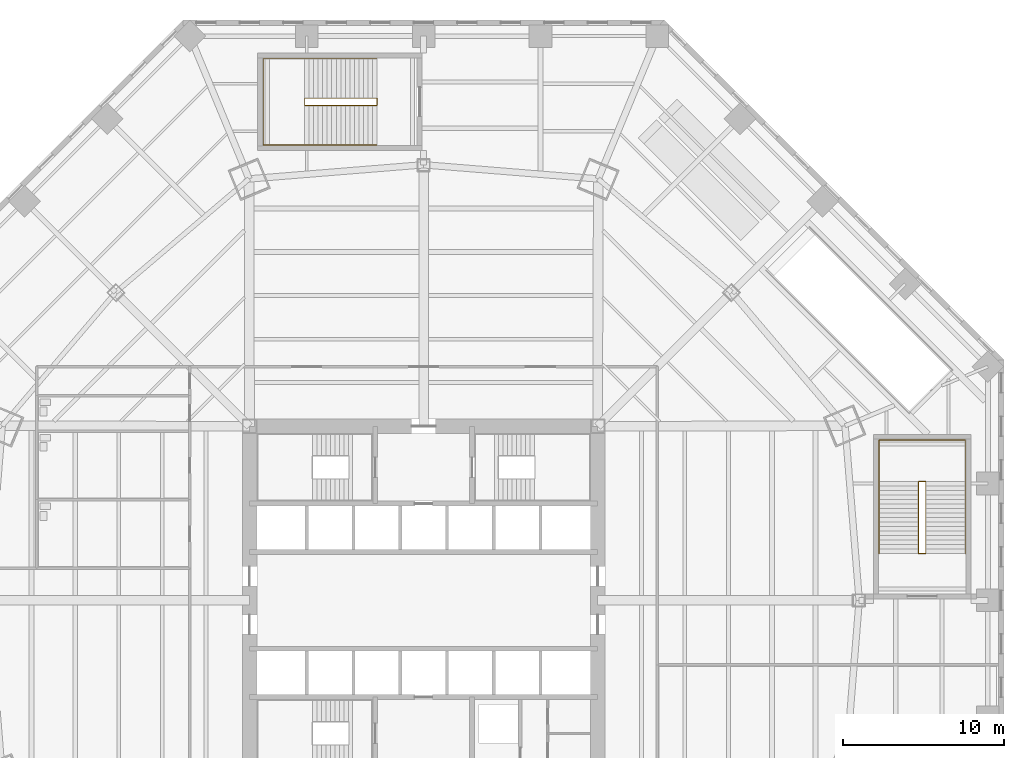
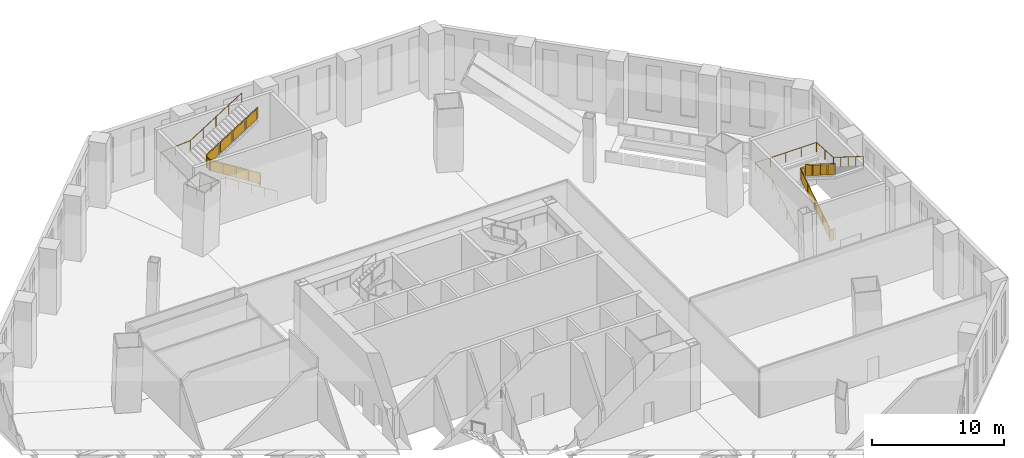
# One storey, part 18 of 20: 4 railings.
"""IFC4 building model written with IfcOpenShell, lengths in metres."""

from ifc_helpers import new_model, si_unit, direction, frame, origin, origin_2d, place, context, subcontext, project, spatial, polyline, circle, outline, extrude, material, type_object, element, save


model = new_model("IFC4")

# Units and contexts
model_context = context("Model", 3, precision=1e-05, world=origin(), true_north=direction((0.0, 1.0)))
body_context = subcontext(model_context, "Body", "Model", "MODEL_VIEW")
ifc_project = project(units=[si_unit("LENGTHUNIT", "METRE"), si_unit("AREAUNIT", "SQUARE_METRE"), si_unit("VOLUMEUNIT", "CUBIC_METRE"), si_unit("PLANEANGLEUNIT", "RADIAN"), si_unit("MASSUNIT", "GRAM", prefix="KILO")], contexts=[model_context])

# Site, building, storey
site_placement = place(None, origin())
site = spatial("IfcSite", under=ifc_project, at=site_placement, CompositionType="ELEMENT")
building_placement = place(site_placement, origin())
building = spatial("IfcBuilding", under=site, at=building_placement, Name="Mashrafa Tower", CompositionType="ELEMENT")
storey_placement = place(building_placement, frame((0.0, 0.0, 7.199951171875)))
storey = spatial("IfcBuildingStorey", under=building, at=storey_placement, Name="L01", CompositionType="ELEMENT", Elevation=7.199951171875)

# Railings
ifc_material_1 = material(Name="Steel guard with glass infill", Category="steel")
railing_type_1 = type_object("IfcRailingType", Name="Stair guard 1100", PredefinedType="GUARDRAIL", material=ifc_material_1)
railing_1_placement = place(storey_placement, frame((31.14990234375, 2.89990234375, 0.0)))
element("IfcRailing", 1, at=railing_1_placement, inside=storey, type_object=railing_type_1, Name="Stair P1 guard L01", PredefinedType="GUARDRAIL", context=body_context, shape_type="SweptSolid", body=[
    extrude(circle(Radius=0.02392578125, at=origin_2d()), frame((0.0, 0.0, 1.076171875), z_axis=(-1.0, 0.0, 0.0), x_axis=(0.0, -1.0, 0.0)), (0.0, 0.0, 1.0), 0.449951171875),
    extrude(circle(Radius=0.02392578125, at=origin_2d()), frame((-0.449951171875, 0.0, 1.076171875), z_axis=(0.0, 0.0, 1.0), x_axis=(1.0, 0.0, 0.0)), (0.0, 0.0, 1.0), 0.176513671875),
    extrude(circle(Radius=0.02392578125, at=origin_2d()), frame((-0.449951171875, 0.0, 1.25244140625), z_axis=(0.0, 0.845997938375, 0.533186166611), x_axis=(-1.0, 0.0, 0.0)), (0.0, 0.0, 1.0), 5.29541015625),
    extrude(circle(Radius=0.02392578125, at=origin_2d()), frame((-0.449951171875, 4.47998046875, 4.076171875), z_axis=(1.0, 0.0, 0.0), x_axis=(0.0, 1.0, 0.0)), (0.0, 0.0, 1.0), 0.449951171875),
    extrude(circle(Radius=0.02392578125, at=origin_2d()), frame((0.0, 4.47998046875, 4.076171875), z_axis=(0.0, 0.0, 1.0), x_axis=(1.0, 0.0, 0.0)), (0.0, 0.0, 1.0), 0.176513671875),
    extrude(circle(Radius=0.02392578125, at=origin_2d()), frame((0.0, 4.47998046875, 4.25244140625), z_axis=(0.0, -0.845997938375, 0.533186166611), x_axis=(1.0, 0.0, 0.0)), (0.0, 0.0, 1.0), 5.29541015625),
    extrude(circle(Radius=0.02099609375, at=origin_2d()), origin(), (0.0, 0.0, 1.0), 1.052001953125),
    extrude(circle(Radius=0.02099609375, at=origin_2d()), frame((-0.449951171875, 0.0, 0.0)), (0.0, 0.0, 1.0), 1.052001953125),
    extrude(circle(Radius=0.02099609375, at=origin_2d()), frame((-0.449951171875, 0.0, 0.176513671875)), (0.0, 0.0, 1.0), 1.052001953125),
    extrude(circle(Radius=0.02099609375, at=origin_2d()), frame((-0.449951171875, 1.1201171875, 0.88232421875)), (0.0, 0.0, 1.0), 1.052001953125),
    extrude(circle(Radius=0.02099609375, at=origin_2d()), frame((-0.449951171875, 2.239990234375, 1.58837890625)), (0.0, 0.0, 1.0), 1.052001953125),
    extrude(circle(Radius=0.02099609375, at=origin_2d()), frame((-0.449951171875, 3.35986328125, 2.294189453125)), (0.0, 0.0, 1.0), 1.052001953125),
    extrude(circle(Radius=0.02099609375, at=origin_2d()), frame((-0.449951171875, 4.47998046875, 3.0)), (0.0, 0.0, 1.0), 1.052001953125),
    extrude(circle(Radius=0.02099609375, at=origin_2d()), frame((0.0, 4.47998046875, 3.0)), (0.0, 0.0, 1.0), 1.052001953125),
    extrude(circle(Radius=0.02099609375, at=origin_2d()), frame((0.0, 4.47998046875, 3.176513671875)), (0.0, 0.0, 1.0), 1.052001953125),
    extrude(circle(Radius=0.02099609375, at=origin_2d()), frame((0.0, 3.35986328125, 3.88232421875)), (0.0, 0.0, 1.0), 1.052001953125),
    extrude(circle(Radius=0.02099609375, at=origin_2d()), frame((0.0, 2.239990234375, 4.58837890625)), (0.0, 0.0, 1.0), 1.052001953125),
    extrude(circle(Radius=0.02099609375, at=origin_2d()), frame((0.0, 1.1201171875, 5.294189453125)), (0.0, 0.0, 1.0), 1.052001953125),
    extrude(circle(Radius=0.02099609375, at=origin_2d()), frame((0.0, 0.0, 6.0)), (0.0, 0.0, 1.0), 1.052001953125),
    extrude(outline(polyline([(0.071044921875, 0.050048828125), (0.37890625, 0.050048828125), (0.37890625, 1.001953125), (0.071044921875, 1.001953125), (0.071044921875, 0.050048828125)])), frame((0.0, 0.006103515625, 0.0), z_axis=(0.0, 1.0, 0.0), x_axis=(-1.0, 0.0, 0.0)), (0.0, 0.0, 1.0), 0.011962890625),
    extrude(outline(polyline([(0.071044921875, 0.0947265625), (1.049072265625, 0.711181640625), (1.049072265625, 1.6630859375), (0.071044921875, 1.046630859375), (0.071044921875, 0.0947265625)])), frame((-0.44384765625, 0.0, 0.176513671875), z_axis=(1.0, 0.0, 0.0), x_axis=(0.0, 1.0, 0.0)), (0.0, 0.0, 1.0), 0.011962890625),
    extrude(outline(polyline([(1.19091796875, 0.800537109375), (2.1689453125, 1.4169921875), (2.1689453125, 2.368896484375), (1.19091796875, 1.752685546875), (1.19091796875, 0.800537109375)])), frame((-0.44384765625, 0.0, 0.176513671875), z_axis=(1.0, 0.0, 0.0), x_axis=(0.0, 1.0, 0.0)), (0.0, 0.0, 1.0), 0.011962890625),
    extrude(outline(polyline([(2.31103515625, 1.506591796875), (3.2890625, 2.122802734375), (3.2890625, 3.074951171875), (2.31103515625, 2.45849609375), (2.31103515625, 1.506591796875)])), frame((-0.44384765625, 0.0, 0.176513671875), z_axis=(1.0, 0.0, 0.0), x_axis=(0.0, 1.0, 0.0)), (0.0, 0.0, 1.0), 0.011962890625),
    extrude(outline(polyline([(3.430908203125, 2.21240234375), (4.408935546875, 2.828857421875), (4.408935546875, 3.78076171875), (3.430908203125, 3.164306640625), (3.430908203125, 2.21240234375)])), frame((-0.44384765625, 0.0, 0.176513671875), z_axis=(1.0, 0.0, 0.0), x_axis=(0.0, 1.0, 0.0)), (0.0, 0.0, 1.0), 0.011962890625),
    extrude(outline(polyline([(0.071044921875, 0.050048828125), (0.37890625, 0.050048828125), (0.37890625, 1.001953125), (0.071044921875, 1.001953125), (0.071044921875, 0.050048828125)])), frame((-0.449951171875, 4.473876953125, 3.0), z_axis=(0.0, -1.0, 0.0), x_axis=(1.0, 0.0, 0.0)), (0.0, 0.0, 1.0), 0.011962890625),
    extrude(outline(polyline([(0.071044921875, 0.0947265625), (1.049072265625, 0.711181640625), (1.049072265625, 1.6630859375), (0.071044921875, 1.046630859375), (0.071044921875, 0.0947265625)])), frame((-0.006103515625, 4.47998046875, 3.176513671875), z_axis=(-1.0, 0.0, 0.0), x_axis=(0.0, -1.0, 0.0)), (0.0, 0.0, 1.0), 0.011962890625),
    extrude(outline(polyline([(1.19091796875, 0.800537109375), (2.1689453125, 1.4169921875), (2.1689453125, 2.368896484375), (1.19091796875, 1.752685546875), (1.19091796875, 0.800537109375)])), frame((-0.006103515625, 4.47998046875, 3.176513671875), z_axis=(-1.0, 0.0, 0.0), x_axis=(0.0, -1.0, 0.0)), (0.0, 0.0, 1.0), 0.011962890625),
    extrude(outline(polyline([(2.31103515625, 1.506591796875), (3.2890625, 2.122802734375), (3.2890625, 3.074951171875), (2.31103515625, 2.45849609375), (2.31103515625, 1.506591796875)])), frame((-0.006103515625, 4.47998046875, 3.176513671875), z_axis=(-1.0, 0.0, 0.0), x_axis=(0.0, -1.0, 0.0)), (0.0, 0.0, 1.0), 0.011962890625),
    extrude(outline(polyline([(3.430908203125, 2.21240234375), (4.408935546875, 2.828857421875), (4.408935546875, 3.78076171875), (3.430908203125, 3.164306640625), (3.430908203125, 2.21240234375)])), frame((-0.006103515625, 4.47998046875, 3.176513671875), z_axis=(-1.0, 0.0, 0.0), x_axis=(0.0, -1.0, 0.0)), (0.0, 0.0, 1.0), 0.011962890625),
])
railing_2_placement = place(storey_placement, frame((-2.89990234375, 31.14990234375, 0.0)))
element("IfcRailing", 2, at=railing_2_placement, inside=storey, type_object=railing_type_1, Name="Stair P2 guard L01", PredefinedType="GUARDRAIL", context=body_context, shape_type="SweptSolid", body=[
    extrude(circle(Radius=0.02392578125, at=origin_2d()), frame((0.0, 0.0, 1.076171875), z_axis=(0.0, -1.0, 0.0), x_axis=(1.0, 0.0, 0.0)), (0.0, 0.0, 1.0), 0.449951171875),
    extrude(circle(Radius=0.02392578125, at=origin_2d()), frame((0.0, -0.449951171875, 1.076171875), z_axis=(0.0, 0.0, 1.0), x_axis=(1.0, 0.0, 0.0)), (0.0, 0.0, 1.0), 0.176513671875),
    extrude(circle(Radius=0.02392578125, at=origin_2d()), frame((0.0, -0.449951171875, 1.25244140625), z_axis=(-0.845997938375, 0.0, 0.533186166611), x_axis=(0.0, -1.0, 0.0)), (0.0, 0.0, 1.0), 5.29541015625),
    extrude(circle(Radius=0.02392578125, at=origin_2d()), frame((-4.47998046875, -0.449951171875, 4.076171875), z_axis=(0.0, 1.0, 0.0), x_axis=(-1.0, 0.0, 0.0)), (0.0, 0.0, 1.0), 0.449951171875),
    extrude(circle(Radius=0.02392578125, at=origin_2d()), frame((-4.47998046875, 0.0, 4.076171875), z_axis=(0.0, 0.0, 1.0), x_axis=(1.0, 0.0, 0.0)), (0.0, 0.0, 1.0), 0.176513671875),
    extrude(circle(Radius=0.02392578125, at=origin_2d()), frame((-4.47998046875, 0.0, 4.25244140625), z_axis=(0.845997938375, 0.0, 0.533186166611), x_axis=(0.0, 1.0, 0.0)), (0.0, 0.0, 1.0), 5.29541015625),
    extrude(circle(Radius=0.02099609375, at=origin_2d()), origin(), (0.0, 0.0, 1.0), 1.052001953125),
    extrude(circle(Radius=0.02099609375, at=origin_2d()), frame((0.0, -0.449951171875, 0.0)), (0.0, 0.0, 1.0), 1.052001953125),
    extrude(circle(Radius=0.02099609375, at=origin_2d()), frame((0.0, -0.449951171875, 0.176513671875)), (0.0, 0.0, 1.0), 1.052001953125),
    extrude(circle(Radius=0.02099609375, at=origin_2d()), frame((-1.1201171875, -0.449951171875, 0.88232421875)), (0.0, 0.0, 1.0), 1.052001953125),
    extrude(circle(Radius=0.02099609375, at=origin_2d()), frame((-2.239990234375, -0.449951171875, 1.58837890625)), (0.0, 0.0, 1.0), 1.052001953125),
    extrude(circle(Radius=0.02099609375, at=origin_2d()), frame((-3.35986328125, -0.449951171875, 2.294189453125)), (0.0, 0.0, 1.0), 1.052001953125),
    extrude(circle(Radius=0.02099609375, at=origin_2d()), frame((-4.47998046875, -0.449951171875, 3.0)), (0.0, 0.0, 1.0), 1.052001953125),
    extrude(circle(Radius=0.02099609375, at=origin_2d()), frame((-4.47998046875, 0.0, 3.0)), (0.0, 0.0, 1.0), 1.052001953125),
    extrude(circle(Radius=0.02099609375, at=origin_2d()), frame((-4.47998046875, 0.0, 3.176513671875)), (0.0, 0.0, 1.0), 1.052001953125),
    extrude(circle(Radius=0.02099609375, at=origin_2d()), frame((-3.35986328125, 0.0, 3.88232421875)), (0.0, 0.0, 1.0), 1.052001953125),
    extrude(circle(Radius=0.02099609375, at=origin_2d()), frame((-2.239990234375, 0.0, 4.58837890625)), (0.0, 0.0, 1.0), 1.052001953125),
    extrude(circle(Radius=0.02099609375, at=origin_2d()), frame((-1.1201171875, 0.0, 5.294189453125)), (0.0, 0.0, 1.0), 1.052001953125),
    extrude(circle(Radius=0.02099609375, at=origin_2d()), frame((0.0, 0.0, 6.0)), (0.0, 0.0, 1.0), 1.052001953125),
    extrude(outline(polyline([(0.071044921875, 0.050048828125), (0.37890625, 0.050048828125), (0.37890625, 1.001953125), (0.071044921875, 1.001953125), (0.071044921875, 0.050048828125)])), frame((-0.006103515625, 0.0, 0.0), z_axis=(-1.0, 0.0, 0.0), x_axis=(0.0, -1.0, 0.0)), (0.0, 0.0, 1.0), 0.011962890625),
    extrude(outline(polyline([(0.071044921875, 0.0947265625), (1.049072265625, 0.711181640625), (1.049072265625, 1.6630859375), (0.071044921875, 1.046630859375), (0.071044921875, 0.0947265625)])), frame((0.0, -0.44384765625, 0.176513671875), z_axis=(0.0, 1.0, 0.0), x_axis=(-1.0, 0.0, 0.0)), (0.0, 0.0, 1.0), 0.011962890625),
    extrude(outline(polyline([(1.19091796875, 0.800537109375), (2.1689453125, 1.4169921875), (2.1689453125, 2.368896484375), (1.19091796875, 1.752685546875), (1.19091796875, 0.800537109375)])), frame((0.0, -0.44384765625, 0.176513671875), z_axis=(0.0, 1.0, 0.0), x_axis=(-1.0, 0.0, 0.0)), (0.0, 0.0, 1.0), 0.011962890625),
    extrude(outline(polyline([(2.31103515625, 1.506591796875), (3.2890625, 2.122802734375), (3.2890625, 3.074951171875), (2.31103515625, 2.45849609375), (2.31103515625, 1.506591796875)])), frame((0.0, -0.44384765625, 0.176513671875), z_axis=(0.0, 1.0, 0.0), x_axis=(-1.0, 0.0, 0.0)), (0.0, 0.0, 1.0), 0.011962890625),
    extrude(outline(polyline([(3.430908203125, 2.21240234375), (4.408935546875, 2.828857421875), (4.408935546875, 3.78076171875), (3.430908203125, 3.164306640625), (3.430908203125, 2.21240234375)])), frame((0.0, -0.44384765625, 0.176513671875), z_axis=(0.0, 1.0, 0.0), x_axis=(-1.0, 0.0, 0.0)), (0.0, 0.0, 1.0), 0.011962890625),
    extrude(outline(polyline([(0.071044921875, 0.050048828125), (0.37890625, 0.050048828125), (0.37890625, 1.001953125), (0.071044921875, 1.001953125), (0.071044921875, 0.050048828125)])), frame((-4.473876953125, -0.449951171875, 3.0), z_axis=(1.0, 0.0, 0.0), x_axis=(0.0, 1.0, 0.0)), (0.0, 0.0, 1.0), 0.011962890625),
    extrude(outline(polyline([(0.071044921875, 0.0947265625), (1.049072265625, 0.711181640625), (1.049072265625, 1.6630859375), (0.071044921875, 1.046630859375), (0.071044921875, 0.0947265625)])), frame((-4.47998046875, -0.006103515625, 3.176513671875), z_axis=(0.0, -1.0, 0.0), x_axis=(1.0, 0.0, 0.0)), (0.0, 0.0, 1.0), 0.011962890625),
    extrude(outline(polyline([(1.19091796875, 0.800537109375), (2.1689453125, 1.4169921875), (2.1689453125, 2.368896484375), (1.19091796875, 1.752685546875), (1.19091796875, 0.800537109375)])), frame((-4.47998046875, -0.006103515625, 3.176513671875), z_axis=(0.0, -1.0, 0.0), x_axis=(1.0, 0.0, 0.0)), (0.0, 0.0, 1.0), 0.011962890625),
    extrude(outline(polyline([(2.31103515625, 1.506591796875), (3.2890625, 2.122802734375), (3.2890625, 3.074951171875), (2.31103515625, 2.45849609375), (2.31103515625, 1.506591796875)])), frame((-4.47998046875, -0.006103515625, 3.176513671875), z_axis=(0.0, -1.0, 0.0), x_axis=(1.0, 0.0, 0.0)), (0.0, 0.0, 1.0), 0.011962890625),
    extrude(outline(polyline([(3.430908203125, 2.21240234375), (4.408935546875, 2.828857421875), (4.408935546875, 3.78076171875), (3.430908203125, 3.164306640625), (3.430908203125, 2.21240234375)])), frame((-4.47998046875, -0.006103515625, 3.176513671875), z_axis=(0.0, -1.0, 0.0), x_axis=(1.0, 0.0, 0.0)), (0.0, 0.0, 1.0), 0.011962890625),
])
ifc_material_2 = material(Name="Steel", Category="steel")
railing_type_2 = type_object("IfcRailingType", Name="Stair handrail 900", PredefinedType="HANDRAIL", material=ifc_material_2)
railing_3_placement = place(storey_placement, frame((28.25, 2.89990234375, 0.176513671875)))
element("IfcRailing", 3, at=railing_3_placement, inside=storey, type_object=railing_type_2, Name="Stair P1 handrail L01", PredefinedType="HANDRAIL", context=body_context, shape_type="SweptSolid", body=[
    extrude(circle(Radius=0.02392578125, at=origin_2d()), frame((0.0, 0.0, 0.8759765625), z_axis=(0.0, 0.845997938375, 0.533186166611), x_axis=(-1.0, 0.0, 0.0)), (0.0, 0.0, 1.0), 5.29541015625),
    extrude(circle(Radius=0.02392578125, at=origin_2d()), frame((0.0, 4.47998046875, 3.69921875), z_axis=(0.0, 1.0, 0.0), x_axis=(-1.0, 0.0, 0.0)), (0.0, 0.0, 1.0), 2.570068359375),
    extrude(circle(Radius=0.02392578125, at=origin_2d()), frame((0.0, 7.050048828125, 3.69921875), z_axis=(1.0, 0.0, 0.0), x_axis=(0.0, 1.0, 0.0)), (0.0, 0.0, 1.0), 5.35009765625),
    extrude(circle(Radius=0.02392578125, at=origin_2d()), frame((5.35009765625, 7.050048828125, 3.69921875), z_axis=(0.0, -0.99764980318, 0.068519122988), x_axis=(1.0, 0.0, 0.0)), (0.0, 0.0, 1.0), 2.576171875),
    extrude(circle(Radius=0.02392578125, at=origin_2d()), frame((5.35009765625, 4.47998046875, 3.8759765625), z_axis=(0.0, -0.845997938375, 0.533186166611), x_axis=(1.0, 0.0, 0.0)), (0.0, 0.0, 1.0), 5.29541015625),
    extrude(circle(Radius=0.02099609375, at=origin_2d()), origin(), (0.0, 0.0, 1.0), 0.851806640625),
    extrude(circle(Radius=0.02099609375, at=origin_2d()), frame((0.0, 1.1201171875, 0.705810546875)), (0.0, 0.0, 1.0), 0.851806640625),
    extrude(circle(Radius=0.02099609375, at=origin_2d()), frame((0.0, 2.239990234375, 1.41162109375)), (0.0, 0.0, 1.0), 0.851806640625),
    extrude(circle(Radius=0.02099609375, at=origin_2d()), frame((0.0, 3.35986328125, 2.11767578125)), (0.0, 0.0, 1.0), 0.851806640625),
    extrude(circle(Radius=0.02099609375, at=origin_2d()), frame((0.0, 4.47998046875, 2.823486328125)), (0.0, 0.0, 1.0), 0.851806640625),
    extrude(circle(Radius=0.02099609375, at=origin_2d()), frame((0.0, 5.76513671875, 2.823486328125)), (0.0, 0.0, 1.0), 0.851806640625),
    extrude(circle(Radius=0.02099609375, at=origin_2d()), frame((0.0, 7.050048828125, 2.823486328125)), (0.0, 0.0, 1.0), 0.851806640625),
    extrude(circle(Radius=0.02099609375, at=origin_2d()), frame((1.33740234375, 7.050048828125, 2.823486328125)), (0.0, 0.0, 1.0), 0.851806640625),
    extrude(circle(Radius=0.02099609375, at=origin_2d()), frame((2.675048828125, 7.050048828125, 2.823486328125)), (0.0, 0.0, 1.0), 0.851806640625),
    extrude(circle(Radius=0.02099609375, at=origin_2d()), frame((4.0126953125, 7.050048828125, 2.823486328125)), (0.0, 0.0, 1.0), 0.851806640625),
    extrude(circle(Radius=0.02099609375, at=origin_2d()), frame((5.35009765625, 7.050048828125, 2.823486328125)), (0.0, 0.0, 1.0), 0.851806640625),
    extrude(circle(Radius=0.02099609375, at=origin_2d()), frame((5.35009765625, 5.76513671875, 2.91162109375)), (0.0, 0.0, 1.0), 0.851806640625),
    extrude(circle(Radius=0.02099609375, at=origin_2d()), frame((5.35009765625, 4.47998046875, 3.0)), (0.0, 0.0, 1.0), 0.851806640625),
    extrude(circle(Radius=0.02099609375, at=origin_2d()), frame((5.35009765625, 3.35986328125, 3.705810546875)), (0.0, 0.0, 1.0), 0.851806640625),
    extrude(circle(Radius=0.02099609375, at=origin_2d()), frame((5.35009765625, 2.239990234375, 4.41162109375)), (0.0, 0.0, 1.0), 0.851806640625),
    extrude(circle(Radius=0.02099609375, at=origin_2d()), frame((5.35009765625, 1.1201171875, 5.11767578125)), (0.0, 0.0, 1.0), 0.851806640625),
    extrude(circle(Radius=0.02099609375, at=origin_2d()), frame((5.35009765625, 0.0, 5.823486328125)), (0.0, 0.0, 1.0), 0.851806640625),
])
railing_4_placement = place(storey_placement, frame((-2.89990234375, 28.25, 0.176513671875)))
element("IfcRailing", 4, at=railing_4_placement, inside=storey, type_object=railing_type_2, Name="Stair P2 handrail L01", PredefinedType="HANDRAIL", context=body_context, shape_type="SweptSolid", body=[
    extrude(circle(Radius=0.02392578125, at=origin_2d()), frame((0.0, 0.0, 0.8759765625), z_axis=(-0.845997938375, 0.0, 0.533186166611), x_axis=(0.0, -1.0, 0.0)), (0.0, 0.0, 1.0), 5.29541015625),
    extrude(circle(Radius=0.02392578125, at=origin_2d()), frame((-4.47998046875, 0.0, 3.69921875), z_axis=(-1.0, 0.0, 0.0), x_axis=(0.0, -1.0, 0.0)), (0.0, 0.0, 1.0), 2.570068359375),
    extrude(circle(Radius=0.02392578125, at=origin_2d()), frame((-7.050048828125, 0.0, 3.69921875), z_axis=(0.0, 1.0, 0.0), x_axis=(-1.0, 0.0, 0.0)), (0.0, 0.0, 1.0), 5.35009765625),
    extrude(circle(Radius=0.02392578125, at=origin_2d()), frame((-7.050048828125, 5.35009765625, 3.69921875), z_axis=(0.99764980318, 0.0, 0.068519122988), x_axis=(0.0, 1.0, 0.0)), (0.0, 0.0, 1.0), 2.576171875),
    extrude(circle(Radius=0.02392578125, at=origin_2d()), frame((-4.47998046875, 5.35009765625, 3.8759765625), z_axis=(0.845997938375, 0.0, 0.533186166611), x_axis=(0.0, 1.0, 0.0)), (0.0, 0.0, 1.0), 5.29541015625),
    extrude(circle(Radius=0.02099609375, at=origin_2d()), origin(), (0.0, 0.0, 1.0), 0.851806640625),
    extrude(circle(Radius=0.02099609375, at=origin_2d()), frame((-1.1201171875, 0.0, 0.705810546875)), (0.0, 0.0, 1.0), 0.851806640625),
    extrude(circle(Radius=0.02099609375, at=origin_2d()), frame((-2.239990234375, 0.0, 1.41162109375)), (0.0, 0.0, 1.0), 0.851806640625),
    extrude(circle(Radius=0.02099609375, at=origin_2d()), frame((-3.35986328125, 0.0, 2.11767578125)), (0.0, 0.0, 1.0), 0.851806640625),
    extrude(circle(Radius=0.02099609375, at=origin_2d()), frame((-4.47998046875, 0.0, 2.823486328125)), (0.0, 0.0, 1.0), 0.851806640625),
    extrude(circle(Radius=0.02099609375, at=origin_2d()), frame((-5.76513671875, 0.0, 2.823486328125)), (0.0, 0.0, 1.0), 0.851806640625),
    extrude(circle(Radius=0.02099609375, at=origin_2d()), frame((-7.050048828125, 0.0, 2.823486328125)), (0.0, 0.0, 1.0), 0.851806640625),
    extrude(circle(Radius=0.02099609375, at=origin_2d()), frame((-7.050048828125, 1.33740234375, 2.823486328125)), (0.0, 0.0, 1.0), 0.851806640625),
    extrude(circle(Radius=0.02099609375, at=origin_2d()), frame((-7.050048828125, 2.675048828125, 2.823486328125)), (0.0, 0.0, 1.0), 0.851806640625),
    extrude(circle(Radius=0.02099609375, at=origin_2d()), frame((-7.050048828125, 4.0126953125, 2.823486328125)), (0.0, 0.0, 1.0), 0.851806640625),
    extrude(circle(Radius=0.02099609375, at=origin_2d()), frame((-7.050048828125, 5.35009765625, 2.823486328125)), (0.0, 0.0, 1.0), 0.851806640625),
    extrude(circle(Radius=0.02099609375, at=origin_2d()), frame((-5.76513671875, 5.35009765625, 2.91162109375)), (0.0, 0.0, 1.0), 0.851806640625),
    extrude(circle(Radius=0.02099609375, at=origin_2d()), frame((-4.47998046875, 5.35009765625, 3.0)), (0.0, 0.0, 1.0), 0.851806640625),
    extrude(circle(Radius=0.02099609375, at=origin_2d()), frame((-3.35986328125, 5.35009765625, 3.705810546875)), (0.0, 0.0, 1.0), 0.851806640625),
    extrude(circle(Radius=0.02099609375, at=origin_2d()), frame((-2.239990234375, 5.35009765625, 4.41162109375)), (0.0, 0.0, 1.0), 0.851806640625),
    extrude(circle(Radius=0.02099609375, at=origin_2d()), frame((-1.1201171875, 5.35009765625, 5.11767578125)), (0.0, 0.0, 1.0), 0.851806640625),
    extrude(circle(Radius=0.02099609375, at=origin_2d()), frame((0.0, 5.35009765625, 5.823486328125)), (0.0, 0.0, 1.0), 0.851806640625),
])

save(model, "model.ifc")
